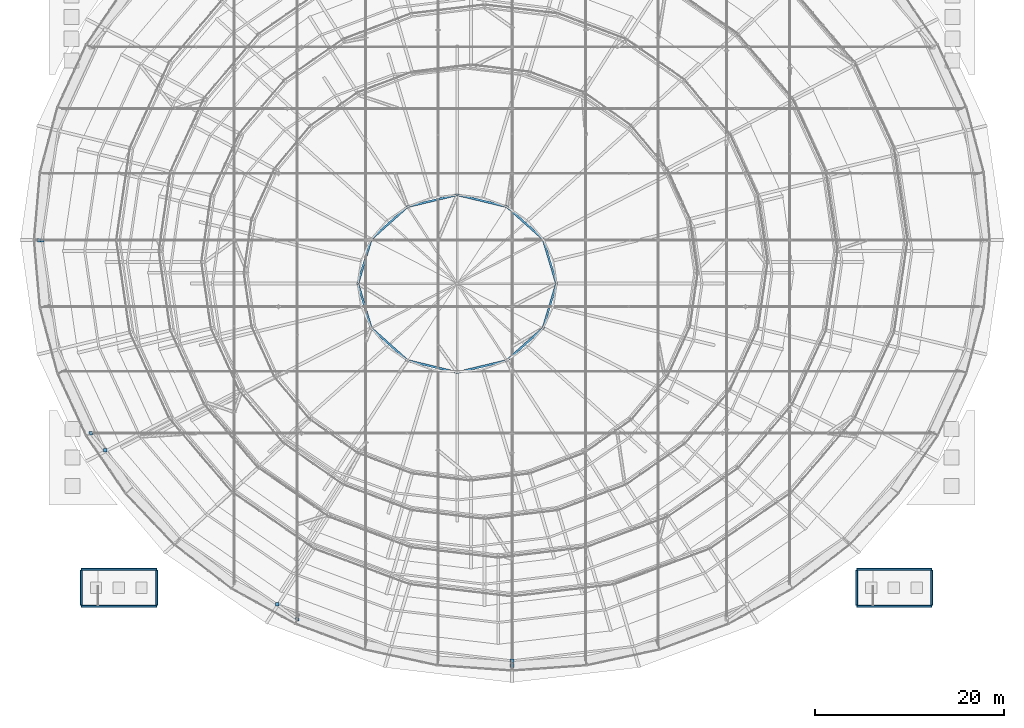
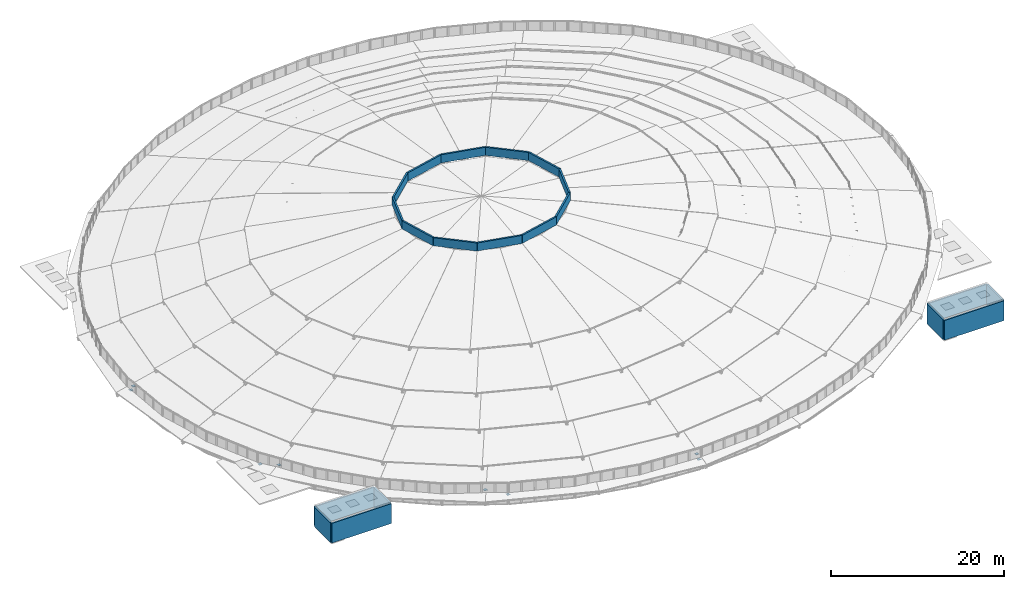
# One storey, part 169 of 173: 20 walls, 8 discrete accessories.
"""IFC4 building model written with IfcOpenShell, lengths in metres."""

from ifc_helpers import new_model, si_unit, direction, frame, frame_2d, origin, origin_2d, place, context, subcontext, project, spatial, rectangle, extrude, material, layer, layer_set, type_object, element, save


model = new_model("IFC4")

# Units and contexts
model_context = context("Model", 3, precision=1e-05, world=origin(), true_north=direction((0.0, 1.0)))
body_context = subcontext(model_context, "Body", "Model", "MODEL_VIEW")
ifc_project = project(units=[si_unit("LENGTHUNIT", "METRE"), si_unit("AREAUNIT", "SQUARE_METRE"), si_unit("VOLUMEUNIT", "CUBIC_METRE"), si_unit("PLANEANGLEUNIT", "RADIAN"), si_unit("MASSUNIT", "GRAM", prefix="KILO")], contexts=[model_context])

# Site, building, storey
site_placement = place(None, origin())
site = spatial("IfcSite", under=ifc_project, at=site_placement, CompositionType="ELEMENT")
building_placement = place(site_placement, origin())
building = spatial("IfcBuilding", under=site, at=building_placement, Name="Glasvene Arena", CompositionType="ELEMENT")
storey_placement = place(building_placement, frame((0.0, 0.0, 28.800048828125)))
storey = spatial("IfcBuildingStorey", under=building, at=storey_placement, Name="RF", CompositionType="ELEMENT", Elevation=28.800048828125)

# Walls
ifc_material_1 = material(Name="Coursed pale Irish limestone", Category="masonry")
ifc_layer_1 = layer(ifc_material_1, 0.219970703125)
ifc_layer_set_1 = layer_set([ifc_layer_1], Name="Coursed pale Irish limestone")
wall_type_1 = type_object("IfcWallType", Name="WL-PARAPET-220", PredefinedType="PARAPET", material=ifc_layer_set_1)
wall_1_placement = place(storey_placement, frame((96.699951171875, 68.39990234375, 13.5), z_axis=(0.0, 0.0, 1.0), x_axis=(-0.286726945205, 0.958012347986, 0.0)))
element("IfcWall", 1, at=wall_1_placement, inside=storey, type_object=wall_type_1, Name="Crown lantern parapet upstand 01", PredefinedType="PARAPET", context=body_context, shape_type="SweptSolid", body=[
    extrude(rectangle(XDim=4.90625, YDim=0.219970703125, at=frame_2d((2.453125, 0.0))), origin(), (0.0, 0.0, 1.0), 1.14990234375),
])
wall_2_placement = place(storey_placement, frame((95.293212890625, 73.10009765625, 13.5), z_axis=(0.0, 0.0, 1.0), x_axis=(-0.74507541556, 0.666980228438, 0.0)))
element("IfcWall", 2, at=wall_2_placement, inside=storey, type_object=wall_type_1, Name="Crown lantern parapet upstand 02", PredefinedType="PARAPET", context=body_context, shape_type="SweptSolid", body=[
    extrude(rectangle(XDim=5.158203125, YDim=0.219970703125, at=frame_2d((2.5791015625, 0.0))), origin(), (0.0, 0.0, 1.0), 1.14990234375),
])
for number, where, z_axis, x_axis, name in (
    (3, (91.449951171875, 76.54052734375, 13.5), (0.0, 0.0, 1.0), (-0.972407411278, 0.233289147823, 0.0), "Crown lantern parapet upstand 03"),
    (4, (86.199951171875, 77.800048828125, 13.5), (0.0, 0.0, 1.0), (-0.972407411278, -0.233289147823, 0.0), "Crown lantern parapet upstand 04"),
):
    element("IfcWall", number, at=place(storey_placement, frame(where, z_axis=z_axis, x_axis=x_axis)), inside=storey, type_object=wall_type_1, Name=name, PredefinedType="PARAPET", context=body_context, shape_type="SweptSolid", body=[
        extrude(rectangle(XDim=5.39892578125, YDim=0.219970703125, at=frame_2d((2.699462890625, 0.0))), origin(), (0.0, 0.0, 1.0), 1.14990234375),
    ])
wall_3_placement = place(storey_placement, frame((80.949951171875, 76.54052734375, 13.5), z_axis=(0.0, 0.0, 1.0), x_axis=(-0.74507541556, -0.666980228438, 0.0)))
element("IfcWall", 5, at=wall_3_placement, inside=storey, type_object=wall_type_1, Name="Crown lantern parapet upstand 05", PredefinedType="PARAPET", context=body_context, shape_type="SweptSolid", body=[
    extrude(rectangle(XDim=5.158203125, YDim=0.219970703125, at=frame_2d((2.5791015625, 0.0))), origin(), (0.0, 0.0, 1.0), 1.14990234375),
])
wall_4_placement = place(storey_placement, frame((77.106689453125, 73.10009765625, 13.5), z_axis=(0.0, 0.0, 1.0), x_axis=(-0.286726945205, -0.958012347986, 0.0)))
element("IfcWall", 6, at=wall_4_placement, inside=storey, type_object=wall_type_1, Name="Crown lantern parapet upstand 06", PredefinedType="PARAPET", context=body_context, shape_type="SweptSolid", body=[
    extrude(rectangle(XDim=4.90625, YDim=0.219970703125, at=frame_2d((2.453125, 0.0))), origin(), (0.0, 0.0, 1.0), 1.14990234375),
])
wall_5_placement = place(storey_placement, frame((75.699951171875, 68.39990234375, 13.5), z_axis=(0.0, 0.0, 1.0), x_axis=(0.286740614769, -0.958008256667, 0.0)))
element("IfcWall", 7, at=wall_5_placement, inside=storey, type_object=wall_type_1, Name="Crown lantern parapet upstand 07", PredefinedType="PARAPET", context=body_context, shape_type="SweptSolid", body=[
    extrude(rectangle(XDim=4.906005859375, YDim=0.219970703125, at=frame_2d((2.453125, 0.0))), origin(), (0.0, 0.0, 1.0), 1.14990234375),
])
wall_6_placement = place(storey_placement, frame((77.106689453125, 63.699951171875, 13.5), z_axis=(0.0, 0.0, 1.0), x_axis=(0.74507541556, -0.666980228438, 0.0)))
element("IfcWall", 8, at=wall_6_placement, inside=storey, type_object=wall_type_1, Name="Crown lantern parapet upstand 08", PredefinedType="PARAPET", context=body_context, shape_type="SweptSolid", body=[
    extrude(rectangle(XDim=5.158203125, YDim=0.219970703125, at=frame_2d((2.5791015625, 0.0))), origin(), (0.0, 0.0, 1.0), 1.14990234375),
])
for number, where, z_axis, x_axis, name in (
    (9, (80.949951171875, 60.259521484375, 13.5), (0.0, 0.0, 1.0), (0.972407411278, -0.233289147823, 0.0), "Crown lantern parapet upstand 09"),
    (10, (86.199951171875, 59.0, 13.5), (0.0, 0.0, 1.0), (0.972407411278, 0.233289147823, 0.0), "Crown lantern parapet upstand 10"),
):
    element("IfcWall", number, at=place(storey_placement, frame(where, z_axis=z_axis, x_axis=x_axis)), inside=storey, type_object=wall_type_1, Name=name, PredefinedType="PARAPET", context=body_context, shape_type="SweptSolid", body=[
        extrude(rectangle(XDim=5.39892578125, YDim=0.219970703125, at=frame_2d((2.699462890625, 0.0))), origin(), (0.0, 0.0, 1.0), 1.14990234375),
    ])
wall_7_placement = place(storey_placement, frame((91.449951171875, 60.259521484375, 13.5), z_axis=(0.0, 0.0, 1.0), x_axis=(0.74507541556, 0.666980228438, 0.0)))
element("IfcWall", 11, at=wall_7_placement, inside=storey, type_object=wall_type_1, Name="Crown lantern parapet upstand 11", PredefinedType="PARAPET", context=body_context, shape_type="SweptSolid", body=[
    extrude(rectangle(XDim=5.158203125, YDim=0.219970703125, at=frame_2d((2.5791015625, 0.0))), origin(), (0.0, 0.0, 1.0), 1.14990234375),
])
wall_8_placement = place(storey_placement, frame((95.293212890625, 63.699951171875, 13.5), z_axis=(0.0, 0.0, 1.0), x_axis=(0.286740614769, 0.958008256667, 0.0)))
element("IfcWall", 12, at=wall_8_placement, inside=storey, type_object=wall_type_1, Name="Crown lantern parapet upstand 12", PredefinedType="PARAPET", context=body_context, shape_type="SweptSolid", body=[
    extrude(rectangle(XDim=4.906005859375, YDim=0.219970703125, at=frame_2d((2.453125, 0.0))), origin(), (0.0, 0.0, 1.0), 1.14990234375),
])
ifc_material_2 = material(Name="Concrete C40/50", Category="concrete")
ifc_layer_2 = layer(ifc_material_2, 0.199951171875)
ifc_layer_set_2 = layer_set([ifc_layer_2], Name="Concrete C40/50")
wall_type_2 = type_object("IfcWallType", Name="WL-SHAFT-200", PredefinedType="SHEAR", material=ifc_layer_set_2)
wall_9_placement = place(storey_placement, frame((46.449951171875, 34.280029296875, 0.0), z_axis=(0.0, 0.0, 1.0), x_axis=(1.0, 0.0, 0.0)))
element("IfcWall", 13, at=wall_9_placement, inside=storey, type_object=wall_type_2, Name="Escape stair shaft wall ST-05 RF S", PredefinedType="SHEAR", context=body_context, shape_type="SweptSolid", body=[
    extrude(rectangle(XDim=7.949951171875, YDim=0.199951171875, at=frame_2d((3.97509765625, 0.0))), origin(), (0.0, 0.0, 1.0), 2.800048828125),
])
for number, where, z_axis, x_axis, name in (
    (14, (46.449951171875, 34.382080078125, 0.0), (0.0, 0.0, 1.0), (0.0, 1.0, 0.0), "Escape stair shaft wall ST-05 RF W"),
    (15, (54.39990234375, 34.382080078125, 0.0), (0.0, 0.0, 1.0), (0.0, 1.0, 0.0), "Escape stair shaft wall ST-05 RF E"),
):
    element("IfcWall", number, at=place(storey_placement, frame(where, z_axis=z_axis, x_axis=x_axis)), inside=storey, type_object=wall_type_2, Name=name, PredefinedType="SHEAR", context=body_context, shape_type="SweptSolid", body=[
        extrude(rectangle(XDim=3.68603515625, YDim=0.199951171875, at=frame_2d((1.843017578125, 0.0))), origin(), (0.0, 0.0, 1.0), 2.800048828125),
    ])
for number, where, z_axis, x_axis, name in (
    (16, (46.449951171875, 38.169921875, 0.0), (0.0, 0.0, 1.0), (1.0, 0.0, 0.0), "Escape stair shaft wall ST-05 RF N"),
    (17, (128.449951171875, 34.280029296875, 0.0), (0.0, 0.0, 1.0), (1.0, 0.0, 0.0), "Escape stair shaft wall ST-06 RF S"),
):
    element("IfcWall", number, at=place(storey_placement, frame(where, z_axis=z_axis, x_axis=x_axis)), inside=storey, type_object=wall_type_2, Name=name, PredefinedType="SHEAR", context=body_context, shape_type="SweptSolid", body=[
        extrude(rectangle(XDim=7.949951171875, YDim=0.199951171875, at=frame_2d((3.97509765625, 0.0))), origin(), (0.0, 0.0, 1.0), 2.800048828125),
    ])
for number, where, z_axis, x_axis, name in (
    (18, (128.449951171875, 34.382080078125, 0.0), (0.0, 0.0, 1.0), (0.0, 1.0, 0.0), "Escape stair shaft wall ST-06 RF W"),
    (19, (136.39990234375, 34.382080078125, 0.0), (0.0, 0.0, 1.0), (0.0, 1.0, 0.0), "Escape stair shaft wall ST-06 RF E"),
):
    element("IfcWall", number, at=place(storey_placement, frame(where, z_axis=z_axis, x_axis=x_axis)), inside=storey, type_object=wall_type_2, Name=name, PredefinedType="SHEAR", context=body_context, shape_type="SweptSolid", body=[
        extrude(rectangle(XDim=3.68603515625, YDim=0.199951171875, at=frame_2d((1.843017578125, 0.0))), origin(), (0.0, 0.0, 1.0), 2.800048828125),
    ])
wall_10_placement = place(storey_placement, frame((128.449951171875, 38.169921875, 0.0), z_axis=(0.0, 0.0, 1.0), x_axis=(1.0, 0.0, 0.0)))
element("IfcWall", 20, at=wall_10_placement, inside=storey, type_object=wall_type_2, Name="Escape stair shaft wall ST-06 RF N", PredefinedType="SHEAR", context=body_context, shape_type="SweptSolid", body=[
    extrude(rectangle(XDim=7.949951171875, YDim=0.199951171875, at=frame_2d((3.97509765625, 0.0))), origin(), (0.0, 0.0, 1.0), 2.800048828125),
])

# Discrete accessories
ifc_material_3 = material(Name="Steel S355J2", Category="steel")
discrete_accessory_type = type_object("IfcDiscreteAccessoryType", Name="ACC-BRACE-GP20", PredefinedType="BRACKET", material=ifc_material_3)
for number, where, z_axis, x_axis, name in (
    (21, (42.0, 73.0, -0.31396484375), (0.0, 0.0, 1.0), (1.0, 0.0, 0.0), "Petal post base connection plate 1-13"),
    (22, (42.300048828125, 73.0, 0.1533203125), (0.0, 0.0, 1.0), (1.0, 0.0, 0.0), "Petal post cap connection plate 1-13"),
    (23, (47.44970703125, 52.5703125, -0.31396484375), (0.0, 0.0, 1.0), (1.0, 0.0, 0.0), "Petal post base connection plate 1-15"),
    (24, (48.95849609375, 50.75, 0.1533203125), (0.0, 0.0, 1.0), (1.0, 0.0, 0.0), "Petal post cap connection plate 1-15"),
    (25, (69.300537109375, 32.90478515625, -0.31396484375), (0.0, 0.0, 1.0), (1.0, 0.0, 0.0), "Petal post base connection plate 1-17"),
    (26, (67.14990234375, 34.4619140625, 0.1533203125), (0.0, 0.0, 1.0), (1.0, 0.0, 0.0), "Petal post cap connection plate 1-17"),
    (27, (92.0, 28.0, -0.31396484375), (0.0, 0.0, 1.0), (1.0, 0.0, 0.0), "Petal post base connection plate 1-19"),
    (28, (92.0, 28.5, 0.1533203125), (0.0, 0.0, 1.0), (1.0, 0.0, 0.0), "Petal post cap connection plate 1-19"),
):
    element("IfcDiscreteAccessory", number, at=place(storey_placement, frame(where, z_axis=z_axis, x_axis=x_axis)), inside=storey, type_object=discrete_accessory_type, Name=name, PredefinedType="BRACKET", context=body_context, shape_type="SweptSolid", body=[
        extrude(rectangle(XDim=0.3798828125, YDim=0.3798828125, at=origin_2d()), origin(), (0.0, 0.0, 1.0), 0.028076171875),
    ])

save(model, "model.ifc")
